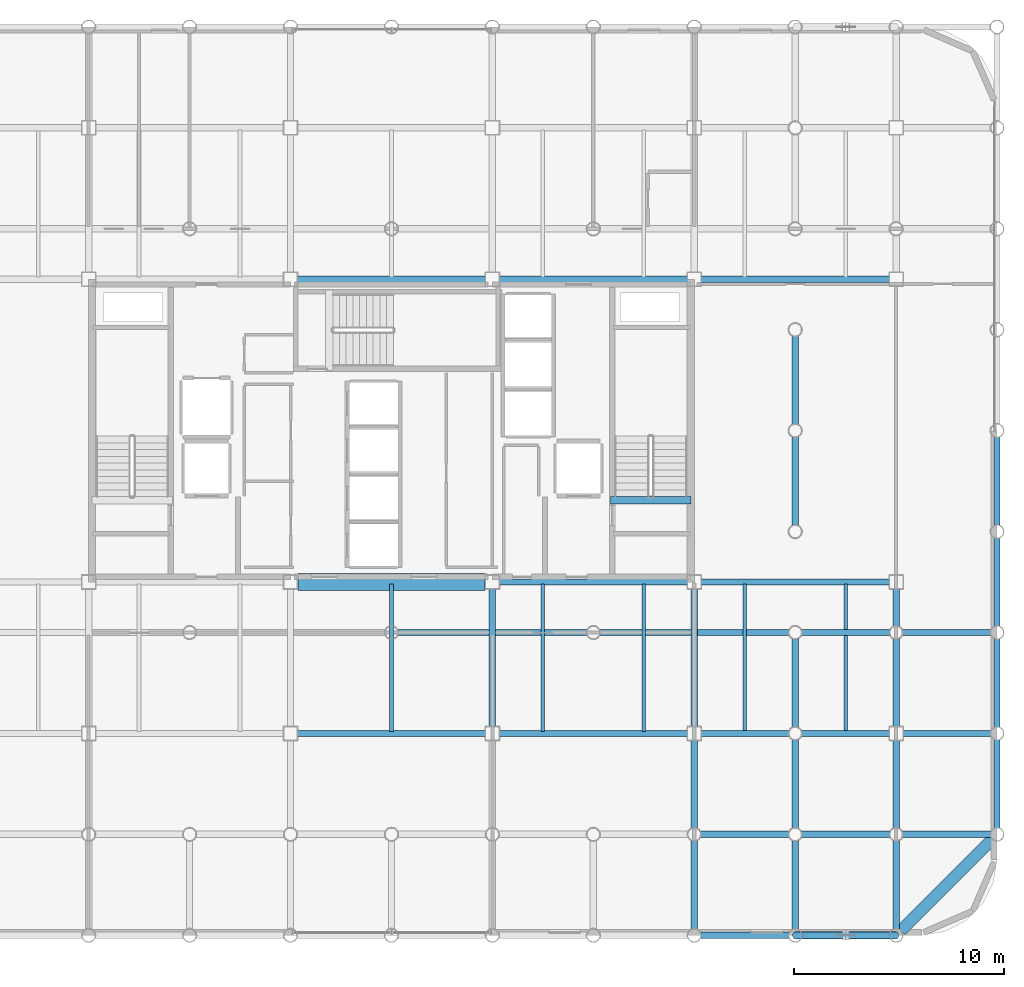
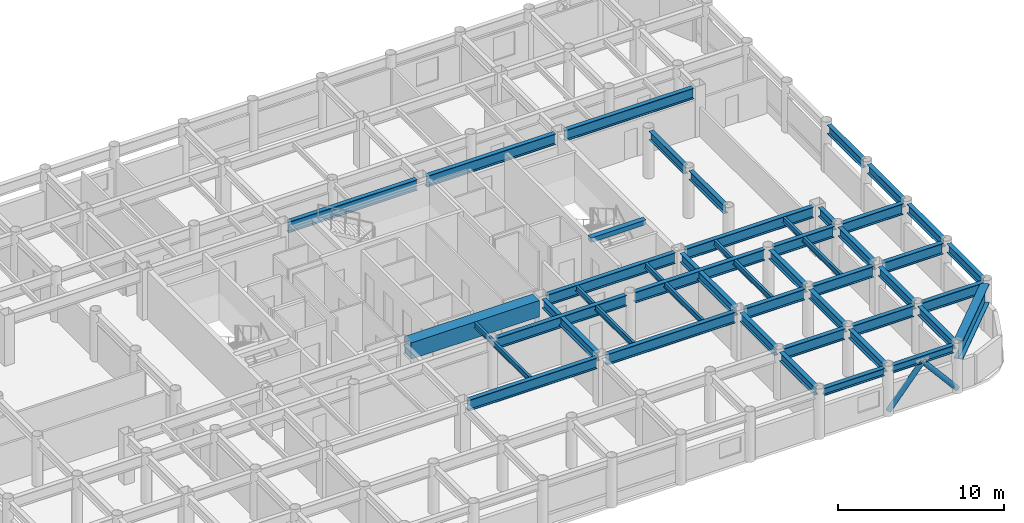
# One storey, part 7 of 19: 44 beams, 2 members.
"""IFC4 building model written with IfcOpenShell, lengths in metres."""

from ifc_helpers import new_model, si_unit, direction, frame, origin, origin_2d, place, context, subcontext, project, spatial, rectangle, hollow_circle, i_section, extrude, material, material_profile, profile_set, type_object, element, save


model = new_model("IFC4")

# Units and contexts
model_context = context("Model", 3, precision=1e-05, world=origin(), true_north=direction((0.0, 1.0)))
body_context = subcontext(model_context, "Body", "Model", "MODEL_VIEW")
ifc_project = project(units=[si_unit("LENGTHUNIT", "METRE"), si_unit("AREAUNIT", "SQUARE_METRE"), si_unit("VOLUMEUNIT", "CUBIC_METRE"), si_unit("PLANEANGLEUNIT", "RADIAN"), si_unit("MASSUNIT", "GRAM", prefix="KILO")], contexts=[model_context])

# Site, building, storey
site_placement = place(None, origin())
site = spatial("IfcSite", under=ifc_project, at=site_placement, CompositionType="ELEMENT")
building_placement = place(site_placement, origin())
building = spatial("IfcBuilding", under=site, at=building_placement, Name="Kallvorn Hotel Tower", CompositionType="ELEMENT")
storey_placement = place(building_placement, frame((0.0, 0.0, 169.199951171875)))
storey = spatial("IfcBuildingStorey", under=building, at=storey_placement, Name="L42", CompositionType="ELEMENT", Elevation=169.199951171875)

# Beams
ifc_material_1 = material(Name="Structural steel S355JR", Category="steel")
ifc_material_profile_1 = material_profile(ifc_material_1, i_section(OverallWidth=0.300048828125, OverallDepth=0.550048828125, WebThickness=0.014892578125, FlangeThickness=0.029052734375, at=origin_2d()), Name="HE 550 B")
ifc_profile_set_1 = profile_set([ifc_material_profile_1], Name="Structural steel S355JR")
beam_type_1 = type_object("IfcBeamType", Name="BM_HE550B", PredefinedType="SPANDREL", material=ifc_profile_set_1)
for number, where, z_axis, x_axis, name in (
    (1, (14.719970703125, -24.0, 3.2451171875), (1.0, 0.0, 0.0), (0.0, 1.0, 0.0), "L43 Perimeter Spandrel 160"),
    (2, (19.52001953125, -24.0, 3.2451171875), (1.0, 0.0, 0.0), (0.0, 1.0, 0.0), "L43 Perimeter Spandrel 161"),
):
    element("IfcBeam", number, at=place(storey_placement, frame(where, z_axis=z_axis, x_axis=x_axis)), inside=storey, type_object=beam_type_1, Name=name, PredefinedType="SPANDREL", context=body_context, shape_type="SweptSolid", body=[
        extrude(i_section(OverallWidth=0.300048828125, OverallDepth=0.550048828125, WebThickness=0.014892578125, FlangeThickness=0.029052734375, at=origin_2d()), origin(), (0.0, 0.0, 1.0), 4.159912109375),
    ])
ifc_material_2 = material(Name="Structural steel S355JR", Category="steel")
ifc_material_profile_2 = material_profile(ifc_material_2, i_section(OverallWidth=0.300048828125, OverallDepth=0.64990234375, WebThickness=0.01611328125, FlangeThickness=0.031005859375, at=origin_2d()), Name="HE 650 B")
ifc_profile_set_2 = profile_set([ifc_material_profile_2], Name="Structural steel S355JR")
beam_type_2 = type_object("IfcBeamType", Name="BM_HE650B", PredefinedType="BEAM", material=ifc_profile_set_2)
beam_1_placement = place(storey_placement, frame((4.800048828125, -14.074951171875, 3.195068359375), z_axis=(0.0, 1.0, 0.0), x_axis=(-1.0, 0.0, 0.0)))
element("IfcBeam", 3, at=beam_1_placement, inside=storey, type_object=beam_type_2, Name="L43 Primary Y-Girder 116", PredefinedType="BEAM", context=body_context, shape_type="SweptSolid", body=[
    extrude(i_section(OverallWidth=0.300048828125, OverallDepth=0.64990234375, WebThickness=0.01611328125, FlangeThickness=0.031005859375, at=origin_2d()), origin(), (0.0, 0.0, 1.0), 6.550048828125),
])
beam_2_placement = place(storey_placement, frame((14.39990234375, -23.695068359375, 3.195068359375), z_axis=(0.0, 1.0, 0.0), x_axis=(-1.0, 0.0, 0.0)))
element("IfcBeam", 4, at=beam_2_placement, inside=storey, type_object=beam_type_2, Name="L43 Primary Y-Girder 122", PredefinedType="BEAM", context=body_context, shape_type="SweptSolid", body=[
    extrude(i_section(OverallWidth=0.300048828125, OverallDepth=0.64990234375, WebThickness=0.01611328125, FlangeThickness=0.031005859375, at=origin_2d()), origin(), (0.0, 0.0, 1.0), 4.190185546875),
])
beam_3_placement = place(storey_placement, frame((14.39990234375, -18.89501953125, 3.195068359375), z_axis=(0.0, 1.0, 0.0), x_axis=(-1.0, 0.0, 0.0)))
element("IfcBeam", 5, at=beam_3_placement, inside=storey, type_object=beam_type_2, Name="L43 Primary Y-Girder 123", PredefinedType="BEAM", context=body_context, shape_type="SweptSolid", body=[
    extrude(i_section(OverallWidth=0.300048828125, OverallDepth=0.64990234375, WebThickness=0.01611328125, FlangeThickness=0.031005859375, at=origin_2d()), origin(), (0.0, 0.0, 1.0), 4.169921875),
])
beam_4_placement = place(storey_placement, frame((14.39990234375, -14.074951171875, 3.195068359375), z_axis=(0.0, 1.0, 0.0), x_axis=(-1.0, 0.0, 0.0)))
element("IfcBeam", 6, at=beam_4_placement, inside=storey, type_object=beam_type_2, Name="L43 Primary Y-Girder 124", PredefinedType="BEAM", context=body_context, shape_type="SweptSolid", body=[
    extrude(i_section(OverallWidth=0.300048828125, OverallDepth=0.64990234375, WebThickness=0.01611328125, FlangeThickness=0.031005859375, at=origin_2d()), origin(), (0.0, 0.0, 1.0), 6.550048828125),
])
beam_5_placement = place(storey_placement, frame((19.199951171875, -23.695068359375, 3.195068359375), z_axis=(0.0, 1.0, 0.0), x_axis=(-1.0, 0.0, 0.0)))
element("IfcBeam", 7, at=beam_5_placement, inside=storey, type_object=beam_type_2, Name="L43 Primary Y-Girder 127", PredefinedType="BEAM", context=body_context, shape_type="SweptSolid", body=[
    extrude(i_section(OverallWidth=0.300048828125, OverallDepth=0.64990234375, WebThickness=0.01611328125, FlangeThickness=0.031005859375, at=origin_2d()), origin(), (0.0, 0.0, 1.0), 4.190185546875),
])
for number, where, z_axis, x_axis, name in (
    (8, (19.199951171875, -18.89501953125, 3.195068359375), (0.0, 1.0, 0.0), (-1.0, 0.0, 0.0), "L43 Primary Y-Girder 128"),
    (9, (19.199951171875, -14.094970703125, 3.195068359375), (0.0, 1.0, 0.0), (-1.0, 0.0, 0.0), "L43 Primary Y-Girder 129"),
):
    element("IfcBeam", number, at=place(storey_placement, frame(where, z_axis=z_axis, x_axis=x_axis)), inside=storey, type_object=beam_type_2, Name=name, PredefinedType="BEAM", context=body_context, shape_type="SweptSolid", body=[
        extrude(i_section(OverallWidth=0.300048828125, OverallDepth=0.64990234375, WebThickness=0.01611328125, FlangeThickness=0.031005859375, at=origin_2d()), origin(), (0.0, 0.0, 1.0), 4.18994140625),
    ])
for number, where, z_axis, x_axis, name in (
    (10, (19.199951171875, -4.4951171875, 3.195068359375), (0.0, 1.0, 0.0), (-1.0, 0.0, 0.0), "L43 Primary Y-Girder 131"),
    (11, (19.199951171875, 0.304931640625, 3.195068359375), (0.0, 1.0, 0.0), (-1.0, 0.0, 0.0), "L43 Primary Y-Girder 132"),
    (12, (24.0, -23.695068359375, 3.195068359375), (0.0, 1.0, 0.0), (-1.0, 0.0, 0.0), "L43 Primary Y-Girder 136"),
):
    element("IfcBeam", number, at=place(storey_placement, frame(where, z_axis=z_axis, x_axis=x_axis)), inside=storey, type_object=beam_type_2, Name=name, PredefinedType="BEAM", context=body_context, shape_type="SweptSolid", body=[
        extrude(i_section(OverallWidth=0.300048828125, OverallDepth=0.64990234375, WebThickness=0.01611328125, FlangeThickness=0.031005859375, at=origin_2d()), origin(), (0.0, 0.0, 1.0), 4.190185546875),
    ])
for number, where, z_axis, x_axis, name in (
    (13, (24.0, -18.89501953125, 3.195068359375), (0.0, 1.0, 0.0), (-1.0, 0.0, 0.0), "L43 Primary Y-Girder 137"),
    (14, (24.0, -14.074951171875, 3.195068359375), (0.0, 1.0, 0.0), (-1.0, 0.0, 0.0), "L43 Primary Y-Girder 138"),
):
    element("IfcBeam", number, at=place(storey_placement, frame(where, z_axis=z_axis, x_axis=x_axis)), inside=storey, type_object=beam_type_2, Name=name, PredefinedType="BEAM", context=body_context, shape_type="SweptSolid", body=[
        extrude(i_section(OverallWidth=0.300048828125, OverallDepth=0.64990234375, WebThickness=0.01611328125, FlangeThickness=0.031005859375, at=origin_2d()), origin(), (0.0, 0.0, 1.0), 4.169921875),
    ])
beam_6_placement = place(storey_placement, frame((24.0, -9.294921875, 3.195068359375), z_axis=(0.0, 1.0, 0.0), x_axis=(-1.0, 0.0, 0.0)))
element("IfcBeam", 15, at=beam_6_placement, inside=storey, type_object=beam_type_2, Name="L43 Primary Y-Girder 139", PredefinedType="BEAM", context=body_context, shape_type="SweptSolid", body=[
    extrude(i_section(OverallWidth=0.300048828125, OverallDepth=0.64990234375, WebThickness=0.01611328125, FlangeThickness=0.031005859375, at=origin_2d()), origin(), (0.0, 0.0, 1.0), 1.77001953125),
])
for number, where, z_axis, x_axis, name in (
    (16, (28.800048828125, -18.89501953125, 3.195068359375), (0.0, 1.0, 0.0), (-1.0, 0.0, 0.0), "L43 Primary Y-Girder 143"),
    (17, (28.800048828125, -14.094970703125, 3.195068359375), (0.0, 1.0, 0.0), (-1.0, 0.0, 0.0), "L43 Primary Y-Girder 144"),
    (18, (28.800048828125, -9.294921875, 3.195068359375), (0.0, 1.0, 0.0), (-1.0, 0.0, 0.0), "L43 Primary Y-Girder 145"),
):
    element("IfcBeam", number, at=place(storey_placement, frame(where, z_axis=z_axis, x_axis=x_axis)), inside=storey, type_object=beam_type_2, Name=name, PredefinedType="BEAM", context=body_context, shape_type="SweptSolid", body=[
        extrude(i_section(OverallWidth=0.300048828125, OverallDepth=0.64990234375, WebThickness=0.01611328125, FlangeThickness=0.031005859375, at=origin_2d()), origin(), (0.0, 0.0, 1.0), 4.18994140625),
    ])
beam_7_placement = place(storey_placement, frame((28.800048828125, -4.4951171875, 3.195068359375), z_axis=(0.0, 1.0, 0.0), x_axis=(-1.0, 0.0, 0.0)))
element("IfcBeam", 19, at=beam_7_placement, inside=storey, type_object=beam_type_2, Name="L43 Primary Y-Girder 146", PredefinedType="BEAM", context=body_context, shape_type="SweptSolid", body=[
    extrude(i_section(OverallWidth=0.300048828125, OverallDepth=0.64990234375, WebThickness=0.01611328125, FlangeThickness=0.031005859375, at=origin_2d()), origin(), (0.0, 0.0, 1.0), 4.190185546875),
])
ifc_material_3 = material(Name="Structural steel S355JR", Category="steel")
ifc_material_profile_3 = material_profile(ifc_material_3, i_section(OverallWidth=0.300048828125, OverallDepth=0.800048828125, WebThickness=0.017578125, FlangeThickness=0.032958984375, at=origin_2d()), Name="HE 800 B")
ifc_profile_set_3 = profile_set([ifc_material_profile_3], Name="Structural steel S355JR")
beam_type_3 = type_object("IfcBeamType", Name="BM_HE800B", PredefinedType="BEAM", material=ifc_profile_set_3)
beam_8_placement = place(storey_placement, frame((14.705078125, -19.199951171875, 3.1201171875), z_axis=(1.0, 0.0, 0.0), x_axis=(0.0, 1.0, 0.0)))
element("IfcBeam", 20, at=beam_8_placement, inside=storey, type_object=beam_type_3, Name="L43 Primary X-Girder 11", PredefinedType="BEAM", context=body_context, shape_type="SweptSolid", body=[
    extrude(i_section(OverallWidth=0.300048828125, OverallDepth=0.800048828125, WebThickness=0.017578125, FlangeThickness=0.032958984375, at=origin_2d()), origin(), (0.0, 0.0, 1.0), 4.18994140625),
])
for number, where, z_axis, x_axis, name in (
    (21, (19.5048828125, -19.199951171875, 3.1201171875), (1.0, 0.0, 0.0), (0.0, 1.0, 0.0), "L43 Primary X-Girder 12"),
    (22, (24.304931640625, -19.199951171875, 3.1201171875), (1.0, 0.0, 0.0), (0.0, 1.0, 0.0), "L43 Primary X-Girder 13"),
):
    element("IfcBeam", number, at=place(storey_placement, frame(where, z_axis=z_axis, x_axis=x_axis)), inside=storey, type_object=beam_type_3, Name=name, PredefinedType="BEAM", context=body_context, shape_type="SweptSolid", body=[
        extrude(i_section(OverallWidth=0.300048828125, OverallDepth=0.800048828125, WebThickness=0.017578125, FlangeThickness=0.032958984375, at=origin_2d()), origin(), (0.0, 0.0, 1.0), 4.190185546875),
    ])
beam_9_placement = place(storey_placement, frame((-4.47509765625, -14.39990234375, 3.1201171875), z_axis=(1.0, 0.0, 0.0), x_axis=(0.0, 1.0, 0.0)))
element("IfcBeam", 23, at=beam_9_placement, inside=storey, type_object=beam_type_3, Name="L43 Primary X-Girder 19", PredefinedType="BEAM", context=body_context, shape_type="SweptSolid", body=[
    extrude(i_section(OverallWidth=0.300048828125, OverallDepth=0.800048828125, WebThickness=0.017578125, FlangeThickness=0.032958984375, at=origin_2d()), origin(), (0.0, 0.0, 1.0), 8.9501953125),
])
beam_10_placement = place(storey_placement, frame((5.125, -14.39990234375, 3.1201171875), z_axis=(1.0, 0.0, 0.0), x_axis=(0.0, 1.0, 0.0)))
element("IfcBeam", 24, at=beam_10_placement, inside=storey, type_object=beam_type_3, Name="L43 Primary X-Girder 20", PredefinedType="BEAM", context=body_context, shape_type="SweptSolid", body=[
    extrude(i_section(OverallWidth=0.300048828125, OverallDepth=0.800048828125, WebThickness=0.017578125, FlangeThickness=0.032958984375, at=origin_2d()), origin(), (0.0, 0.0, 1.0), 8.949951171875),
])
beam_11_placement = place(storey_placement, frame((14.72509765625, -14.39990234375, 3.1201171875), z_axis=(1.0, 0.0, 0.0), x_axis=(0.0, 1.0, 0.0)))
element("IfcBeam", 25, at=beam_11_placement, inside=storey, type_object=beam_type_3, Name="L43 Primary X-Girder 21", PredefinedType="BEAM", context=body_context, shape_type="SweptSolid", body=[
    extrude(i_section(OverallWidth=0.300048828125, OverallDepth=0.800048828125, WebThickness=0.017578125, FlangeThickness=0.032958984375, at=origin_2d()), origin(), (0.0, 0.0, 1.0), 4.169921875),
])
for number, where, z_axis, x_axis, name in (
    (26, (19.5048828125, -14.39990234375, 3.1201171875), (1.0, 0.0, 0.0), (0.0, 1.0, 0.0), "L43 Primary X-Girder 22"),
    (27, (24.324951171875, -14.39990234375, 3.1201171875), (1.0, 0.0, 0.0), (0.0, 1.0, 0.0), "L43 Primary X-Girder 23"),
):
    element("IfcBeam", number, at=place(storey_placement, frame(where, z_axis=z_axis, x_axis=x_axis)), inside=storey, type_object=beam_type_3, Name=name, PredefinedType="BEAM", context=body_context, shape_type="SweptSolid", body=[
        extrude(i_section(OverallWidth=0.300048828125, OverallDepth=0.800048828125, WebThickness=0.017578125, FlangeThickness=0.032958984375, at=origin_2d()), origin(), (0.0, 0.0, 1.0), 4.170166015625),
    ])
for number, where, z_axis, x_axis, name in (
    (28, (0.304931640625, -9.60009765625, 3.1201171875), (1.0, 0.0, 0.0), (0.0, 1.0, 0.0), "L43 Primary X-Girder 29"),
    (29, (9.905029296875, -9.60009765625, 3.1201171875), (1.0, 0.0, 0.0), (0.0, 1.0, 0.0), "L43 Primary X-Girder 30"),
):
    element("IfcBeam", number, at=place(storey_placement, frame(where, z_axis=z_axis, x_axis=x_axis)), inside=storey, type_object=beam_type_3, Name=name, PredefinedType="BEAM", context=body_context, shape_type="SweptSolid", body=[
        extrude(i_section(OverallWidth=0.300048828125, OverallDepth=0.800048828125, WebThickness=0.017578125, FlangeThickness=0.032958984375, at=origin_2d()), origin(), (0.0, 0.0, 1.0), 8.989990234375),
    ])
for number, where, z_axis, x_axis, name in (
    (30, (19.5048828125, -9.60009765625, 3.1201171875), (1.0, 0.0, 0.0), (0.0, 1.0, 0.0), "L43 Primary X-Girder 31"),
    (31, (24.304931640625, -9.60009765625, 3.1201171875), (1.0, 0.0, 0.0), (0.0, 1.0, 0.0), "L43 Primary X-Girder 32"),
):
    element("IfcBeam", number, at=place(storey_placement, frame(where, z_axis=z_axis, x_axis=x_axis)), inside=storey, type_object=beam_type_3, Name=name, PredefinedType="BEAM", context=body_context, shape_type="SweptSolid", body=[
        extrude(i_section(OverallWidth=0.300048828125, OverallDepth=0.800048828125, WebThickness=0.017578125, FlangeThickness=0.032958984375, at=origin_2d()), origin(), (0.0, 0.0, 1.0), 4.190185546875),
    ])
for number, where, z_axis, x_axis, name in (
    (32, (5.125, -7.199951171875, 3.1201171875), (1.0, 0.0, 0.0), (0.0, 1.0, 0.0), "L43 Primary X-Girder 35"),
    (33, (14.72509765625, -7.199951171875, 3.1201171875), (1.0, 0.0, 0.0), (0.0, 1.0, 0.0), "L43 Primary X-Girder 36"),
):
    element("IfcBeam", number, at=place(storey_placement, frame(where, z_axis=z_axis, x_axis=x_axis)), inside=storey, type_object=beam_type_3, Name=name, PredefinedType="BEAM", context=body_context, shape_type="SweptSolid", body=[
        extrude(i_section(OverallWidth=0.300048828125, OverallDepth=0.800048828125, WebThickness=0.017578125, FlangeThickness=0.032958984375, at=origin_2d()), origin(), (0.0, 0.0, 1.0), 8.949951171875),
    ])
beam_12_placement = place(storey_placement, frame((-4.47509765625, 7.199951171875, 3.1201171875), z_axis=(1.0, 0.0, 0.0), x_axis=(0.0, 1.0, 0.0)))
element("IfcBeam", 34, at=beam_12_placement, inside=storey, type_object=beam_type_3, Name="L43 Primary X-Girder 39", PredefinedType="BEAM", context=body_context, shape_type="SweptSolid", body=[
    extrude(i_section(OverallWidth=0.300048828125, OverallDepth=0.800048828125, WebThickness=0.017578125, FlangeThickness=0.032958984375, at=origin_2d()), origin(), (0.0, 0.0, 1.0), 8.9501953125),
])
for number, where, z_axis, x_axis, name in (
    (35, (5.125, 7.199951171875, 3.1201171875), (1.0, 0.0, 0.0), (0.0, 1.0, 0.0), "L43 Primary X-Girder 40"),
    (36, (14.72509765625, 7.199951171875, 3.1201171875), (1.0, 0.0, 0.0), (0.0, 1.0, 0.0), "L43 Primary X-Girder 41"),
):
    element("IfcBeam", number, at=place(storey_placement, frame(where, z_axis=z_axis, x_axis=x_axis)), inside=storey, type_object=beam_type_3, Name=name, PredefinedType="BEAM", context=body_context, shape_type="SweptSolid", body=[
        extrude(i_section(OverallWidth=0.300048828125, OverallDepth=0.800048828125, WebThickness=0.017578125, FlangeThickness=0.032958984375, at=origin_2d()), origin(), (0.0, 0.0, 1.0), 8.949951171875),
    ])
ifc_material_4 = material(Name="Structural steel S355JR", Category="steel")
ifc_material_profile_4 = material_profile(ifc_material_4, i_section(OverallWidth=0.179931640625, OverallDepth=0.39990234375, WebThickness=0.008544921875, FlangeThickness=0.013427734375, at=origin_2d()), Name="IPE 400")
ifc_profile_set_4 = profile_set([ifc_material_profile_4], Name="Structural steel S355JR")
beam_type_4 = type_object("IfcBeamType", Name="BM_IPE400", PredefinedType="JOIST", material=ifc_profile_set_4)
for number, where, z_axis, x_axis, name in (
    (37, (0.0, -14.300048828125, 3.320068359375), (0.0, 1.0, 0.0), (-1.0, 0.0, 0.0), "L43 Secondary Composite Joist 200"),
    (38, (7.199951171875, -14.300048828125, 3.320068359375), (0.0, 1.0, 0.0), (-1.0, 0.0, 0.0), "L43 Secondary Composite Joist 202"),
    (39, (12.0, -14.300048828125, 3.320068359375), (0.0, 1.0, 0.0), (-1.0, 0.0, 0.0), "L43 Secondary Composite Joist 204"),
    (40, (16.800048828125, -14.300048828125, 3.320068359375), (0.0, 1.0, 0.0), (-1.0, 0.0, 0.0), "L43 Secondary Composite Joist 206"),
    (41, (21.60009765625, -14.300048828125, 3.320068359375), (0.0, 1.0, 0.0), (-1.0, 0.0, 0.0), "L43 Secondary Composite Joist 208"),
):
    element("IfcBeam", number, at=place(storey_placement, frame(where, z_axis=z_axis, x_axis=x_axis)), inside=storey, type_object=beam_type_4, Name=name, PredefinedType="JOIST", context=body_context, shape_type="SweptSolid", body=[
        extrude(i_section(OverallWidth=0.179931640625, OverallDepth=0.39990234375, WebThickness=0.008544921875, FlangeThickness=0.013427734375, at=origin_2d()), origin(), (0.0, 0.0, 1.0), 7.0),
    ])
ifc_material_5 = material(Name="Structural steel S355JR", Category="steel")
ifc_material_profile_5 = material_profile(ifc_material_5, i_section(OverallWidth=0.550048828125, OverallDepth=1.39990234375, WebThickness=0.02490234375, FlangeThickness=0.044921875, at=origin_2d()), Name="PG 1400x550x25x45")
ifc_profile_set_5 = profile_set([ifc_material_profile_5], Name="Structural steel S355JR")
beam_type_5 = type_object("IfcBeamType", Name="BM_PG_1400", PredefinedType="BEAM", material=ifc_profile_set_5)
beam_13_placement = place(storey_placement, frame((28.57373046875, -19.42626953125, 2.820068359375), z_axis=(-0.707106781187, -0.707106781187, 0.0), x_axis=(0.707106781187, -0.707106781187, 0.0)))
element("IfcBeam", 42, at=beam_13_placement, inside=storey, type_object=beam_type_5, Name="L43 Rounded Corner Tie Beam 191", PredefinedType="BEAM", context=body_context, shape_type="SweptSolid", body=[
    extrude(i_section(OverallWidth=0.550048828125, OverallDepth=1.39990234375, WebThickness=0.02490234375, FlangeThickness=0.044921875, at=origin_2d()), origin(), (0.0, 0.0, 1.0), 6.148193359375),
])
ifc_material_6 = material(Name="Concrete C50/60", Category="concrete")
ifc_material_profile_6 = material_profile(ifc_material_6, rectangle(XDim=0.360107421875, YDim=0.340087890625, at=origin_2d()), Name="RC 360x340")
ifc_profile_set_6 = profile_set([ifc_material_profile_6], Name="Concrete C50/60")
beam_type_6 = type_object("IfcBeamType", Name="BM_RC_400x360", PredefinedType="BEAM", material=ifc_profile_set_6)
beam_14_placement = place(storey_placement, frame((14.239990234375, -3.31005859375, 3.35009765625), z_axis=(-1.0, 0.0, 0.0), x_axis=(0.0, -1.0, 0.0)))
element("IfcBeam", 43, at=beam_14_placement, inside=storey, type_object=beam_type_6, Name="L43 Stair ST2 Arrival Trimmer Beam", PredefinedType="BEAM", context=body_context, shape_type="SweptSolid", body=[
    extrude(rectangle(XDim=0.360107421875, YDim=0.340087890625, at=origin_2d()), origin(), (0.0, 0.0, 1.0), 3.820068359375),
])
ifc_material_7 = material(Name="Concrete C50/60", Category="concrete")
ifc_material_profile_7 = material_profile(ifc_material_7, rectangle(XDim=0.800048828125, YDim=1.199951171875, at=origin_2d()), Name="RC 800x1200")
ifc_profile_set_7 = profile_set([ifc_material_profile_7], Name="Concrete C50/60")
beam_type_7 = type_object("IfcBeamType", Name="BM_RC_800x1200", PredefinedType="T_BEAM", material=ifc_profile_set_7)
beam_15_placement = place(storey_placement, frame((-4.449951171875, -7.199951171875, 2.920166015625), z_axis=(1.0, 0.0, 0.0), x_axis=(0.0, 1.0, 0.0)))
element("IfcBeam", 44, at=beam_15_placement, inside=storey, type_object=beam_type_7, Name="L42 Core Coupling Beam South", PredefinedType="T_BEAM", context=body_context, shape_type="SweptSolid", body=[
    extrude(rectangle(XDim=0.800048828125, YDim=1.199951171875, at=origin_2d()), origin(), (0.0, 0.0, 1.0), 8.89990234375),
])

# Members
ifc_material_8 = material(Name="Structural steel S355J2H", Category="steel")
ifc_material_profile_8 = material_profile(ifc_material_8, hollow_circle(Radius=0.177734375, WallThickness=0.01416015625, at=origin_2d()), Name="CHS 355.6x14.2")
ifc_profile_set_8 = profile_set([ifc_material_profile_8], Name="Structural steel S355J2H")
member_type = type_object("IfcMemberType", Name="MBR_EXO_CHS355", PredefinedType="BRACE", material=ifc_profile_set_8)
for number, where, z_axis, x_axis, name in (
    (45, (19.212890625, -24.0, 0.1953125), (0.646833296797, 0.0, 0.762631422218), (0.0, 1.0, 0.0), "L42 Exoskeleton K-Brace S2A"),
    (46, (23.987060546875, -24.0, 0.1953125), (-0.646833296797, 0.0, 0.762631422218), (0.0, -1.0, 0.0), "L42 Exoskeleton K-Brace S2B"),
):
    element("IfcMember", number, at=place(storey_placement, frame(where, z_axis=z_axis, x_axis=x_axis)), inside=storey, type_object=member_type, Name=name, PredefinedType="BRACE", context=body_context, shape_type="SweptSolid", body=[
        extrude(hollow_circle(Radius=0.177734375, WallThickness=0.01416015625, at=origin_2d()), origin(), (0.0, 0.0, 1.0), 3.670654296875),
    ])

save(model, "model.ifc")
